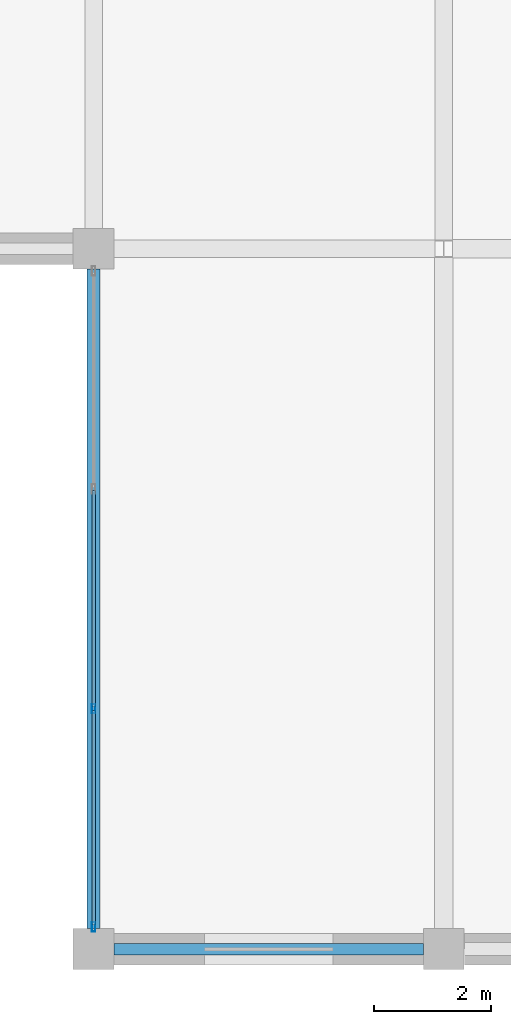
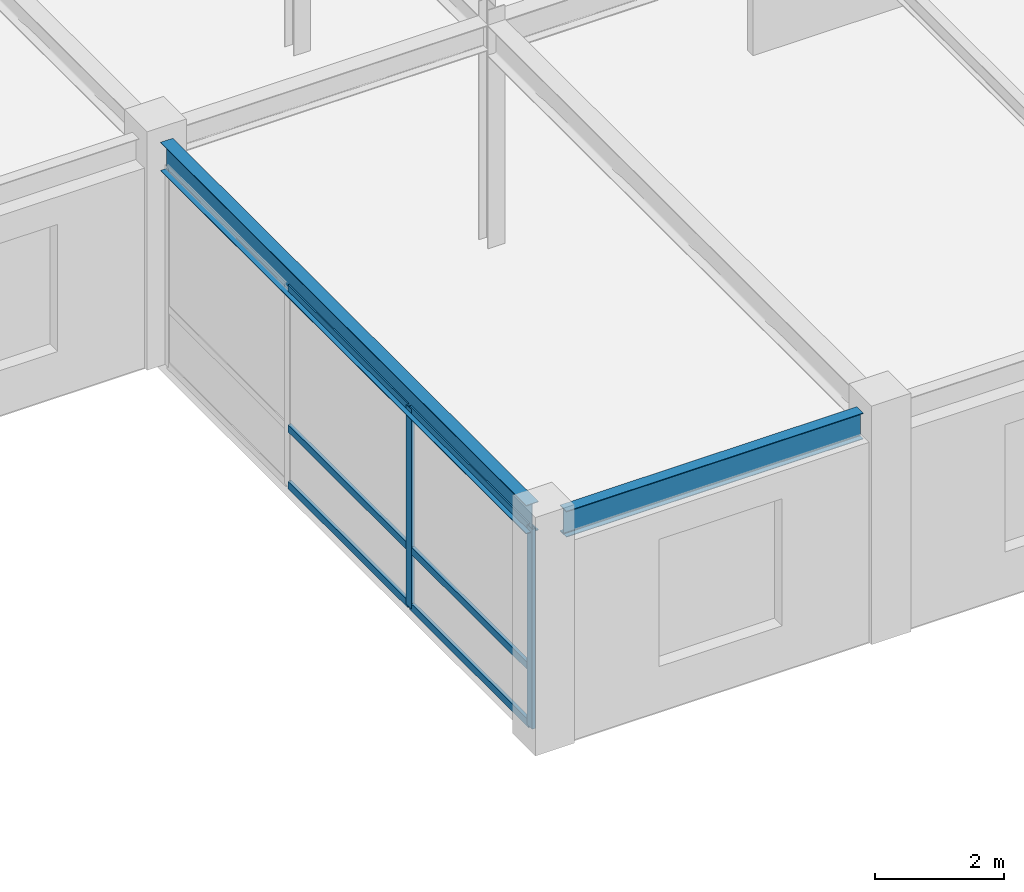
# One storey, part 56 of 108: 8 members, 2 beams, 1 element without a shape of its own.
"""IFC4 building model written with IfcOpenShell, lengths in metres."""

from ifc_helpers import new_model, si_unit, direction, frame, origin, origin_2d, place, context, subcontext, project, spatial, hollow_rectangle, i_section, extrude, material, layer, layer_set, material_profile, profile_set, type_object, element, aggregate, save


model = new_model("IFC4")

# Units and contexts
model_context = context("Model", 3, precision=1e-05, world=origin(), true_north=direction((0.0, 1.0)))
body_context = subcontext(model_context, "Body", "Model", "MODEL_VIEW")
ifc_project = project(units=[si_unit("LENGTHUNIT", "METRE"), si_unit("AREAUNIT", "SQUARE_METRE"), si_unit("VOLUMEUNIT", "CUBIC_METRE"), si_unit("PLANEANGLEUNIT", "RADIAN"), si_unit("MASSUNIT", "GRAM", prefix="KILO")], contexts=[model_context])

# Site, building, storey
site_placement = place(None, origin())
site = spatial("IfcSite", under=ifc_project, at=site_placement, CompositionType="ELEMENT")
building_placement = place(site_placement, origin())
building = spatial("IfcBuilding", under=site, at=building_placement, Name="Zlatovratsky Civic Hall", CompositionType="ELEMENT")
storey_placement = place(building_placement, frame((0.0, 0.0, 12.0)))
storey = spatial("IfcBuildingStorey", under=building, at=storey_placement, Name="L03", CompositionType="ELEMENT", Elevation=12.0)

# Beams
ifc_material_1 = material(Name="Steel S355", Category="steel")
ifc_material_profile_1 = material_profile(ifc_material_1, i_section(OverallWidth=0.198974609375, OverallDepth=0.491943359375, WebThickness=0.0087890625, FlangeThickness=0.011962890625, FilletRadius=0.01611328125, at=origin_2d()), Name="50B1")
ifc_profile_set_1 = profile_set([ifc_material_profile_1], Name="Steel S355")
beam_type_1 = type_object("IfcBeamType", Name="Beam_Spandrel_50B1", PredefinedType="SPANDREL", material=ifc_profile_set_1)
beam_1_placement = place(storey_placement, frame((114.35009765625, 0.0, 3.97412109375), z_axis=(1.0, 0.0, 0.0), x_axis=(0.0, 1.0, 0.0)))
element("IfcBeam", 1, at=beam_1_placement, inside=storey, type_object=beam_type_1, Name="BM-2475", PredefinedType="SPANDREL", context=body_context, shape_type="SweptSolid", body=[
    extrude(i_section(OverallWidth=0.198974609375, OverallDepth=0.491943359375, WebThickness=0.0087890625, FlangeThickness=0.011962890625, FilletRadius=0.01611328125, at=origin_2d()), origin(), (0.0, 0.0, 1.0), 5.2998046875),
])
ifc_material_profile_2 = material_profile(ifc_material_1, i_section(OverallWidth=0.219970703125, OverallDepth=0.54296875, WebThickness=0.009521484375, FlangeThickness=0.013427734375, FilletRadius=0.01806640625, at=origin_2d()), Name="55B1")
ifc_profile_set_2 = profile_set([ifc_material_profile_2], Name="Steel S355")
beam_type_2 = type_object("IfcBeamType", Name="Beam_Spandrel_55B1", PredefinedType="SPANDREL", material=ifc_profile_set_2)
beam_2_placement = place(storey_placement, frame((114.0, 0.35009765625, 3.948486328125), z_axis=(0.0, 1.0, 0.0), x_axis=(-1.0, 0.0, 0.0)))
element("IfcBeam", 2, at=beam_2_placement, inside=storey, type_object=beam_type_2, Name="BM-3013", PredefinedType="SPANDREL", context=body_context, shape_type="SweptSolid", body=[
    extrude(i_section(OverallWidth=0.219970703125, OverallDepth=0.54296875, WebThickness=0.009521484375, FlangeThickness=0.013427734375, FilletRadius=0.01806640625, at=origin_2d()), origin(), (0.0, 0.0, 1.0), 11.2998046875),
])

# Curtain wall, members
ifc_material_2 = material(Name="Anodised bronze aluminium", Category="aluminium")
ifc_layer = layer(ifc_material_2, 0.159912109375)
ifc_layer_set = layer_set([ifc_layer], Name="Anodised bronze aluminium")
curtain_wall_type = type_object("IfcCurtainWallType", Name="CurtainWall_Bronze_11300x3770_07", PredefinedType="NOTDEFINED", material=ifc_layer_set)
curtain_wall_placement = place(storey_placement, origin())
curtain_wall = element("IfcCurtainWall", 3, at=curtain_wall_placement, inside=storey, type_object=curtain_wall_type, Name="CW-046", PredefinedType="NOTDEFINED")
ifc_material_profile_3 = material_profile(ifc_material_2, hollow_rectangle(XDim=0.06005859375, YDim=0.159912109375, WallThickness=0.00390625, at=origin_2d()), Name="ALU 60x160x4")
ifc_profile_set_3 = profile_set([ifc_material_profile_3], Name="Anodised bronze aluminium")
member_type_1 = type_object("IfcMemberType", Name="CW_Mullion_60x160", PredefinedType="MULLION", material=ifc_profile_set_3)
member_1_placement = place(storey_placement, frame((114.0, 0.3798828125, 0.0), z_axis=(0.0, 0.0, 1.0), x_axis=(-1.0, 0.0, 0.0)))
member_1 = element("IfcMember", 4, at=member_1_placement, type_object=member_type_1, Name="CW-07 mullion 1", PredefinedType="MULLION", context=body_context, shape_type="SweptSolid", body=[
    extrude(hollow_rectangle(XDim=0.06005859375, YDim=0.159912109375, WallThickness=0.00390625, at=origin_2d()), origin(), (0.0, 0.0, 1.0), 3.77001953125),
])
member_2_placement = place(storey_placement, frame((114.0, 4.11669921875, 0.0), z_axis=(0.0, 0.0, 1.0), x_axis=(-1.0, 0.0, 0.0)))
member_2 = element("IfcMember", 5, at=member_2_placement, type_object=member_type_1, Name="CW-07 mullion 2", PredefinedType="MULLION", context=body_context, shape_type="SweptSolid", body=[
    extrude(hollow_rectangle(XDim=0.06005859375, YDim=0.159912109375, WallThickness=0.00390625, at=origin_2d()), origin(), (0.0, 0.0, 1.0), 3.77001953125),
])
ifc_material_profile_4 = material_profile(ifc_material_2, hollow_rectangle(XDim=0.06005859375, YDim=0.139892578125, WallThickness=0.00390625, at=origin_2d()), Name="ALU 60x140x4")
ifc_profile_set_4 = profile_set([ifc_material_profile_4], Name="Anodised bronze aluminium")
member_type_2 = type_object("IfcMemberType", Name="CW_Transom_60x140", PredefinedType="USERDEFINED", material=ifc_profile_set_4)
member_3_placement = place(storey_placement, frame((114.0, 0.409912109375, 0.030029296875), z_axis=(0.0, 1.0, 0.0), x_axis=(-1.0, 0.0, 0.0)))
member_3 = element("IfcMember", 6, at=member_3_placement, type_object=member_type_2, Name="CW-07 transom 1.1", ObjectType="TRANSOM", PredefinedType="USERDEFINED", context=body_context, shape_type="SweptSolid", body=[
    extrude(hollow_rectangle(XDim=0.06005859375, YDim=0.139892578125, WallThickness=0.00390625, at=origin_2d()), origin(), (0.0, 0.0, 1.0), 3.6767578125),
])
member_4_placement = place(storey_placement, frame((114.0, 0.409912109375, 1.10009765625), z_axis=(0.0, 1.0, 0.0), x_axis=(-1.0, 0.0, 0.0)))
member_4 = element("IfcMember", 7, at=member_4_placement, type_object=member_type_2, Name="CW-07 transom 1.2", ObjectType="TRANSOM", PredefinedType="USERDEFINED", context=body_context, shape_type="SweptSolid", body=[
    extrude(hollow_rectangle(XDim=0.06005859375, YDim=0.139892578125, WallThickness=0.00390625, at=origin_2d()), origin(), (0.0, 0.0, 1.0), 3.6767578125),
])
member_5_placement = place(storey_placement, frame((114.0, 0.409912109375, 3.739990234375), z_axis=(0.0, 1.0, 0.0), x_axis=(-1.0, 0.0, 0.0)))
member_5 = element("IfcMember", 8, at=member_5_placement, type_object=member_type_2, Name="CW-07 transom 1.3", ObjectType="TRANSOM", PredefinedType="USERDEFINED", context=body_context, shape_type="SweptSolid", body=[
    extrude(hollow_rectangle(XDim=0.06005859375, YDim=0.139892578125, WallThickness=0.00390625, at=origin_2d()), origin(), (0.0, 0.0, 1.0), 3.6767578125),
])
member_6_placement = place(storey_placement, frame((114.0, 4.146728515625, 0.030029296875), z_axis=(0.0, 1.0, 0.0), x_axis=(-1.0, 0.0, 0.0)))
member_6 = element("IfcMember", 9, at=member_6_placement, type_object=member_type_2, Name="CW-07 transom 2.1", ObjectType="TRANSOM", PredefinedType="USERDEFINED", context=body_context, shape_type="SweptSolid", body=[
    extrude(hollow_rectangle(XDim=0.06005859375, YDim=0.139892578125, WallThickness=0.00390625, at=origin_2d()), origin(), (0.0, 0.0, 1.0), 3.70654296875),
])
member_7_placement = place(storey_placement, frame((114.0, 4.146728515625, 1.10009765625), z_axis=(0.0, 1.0, 0.0), x_axis=(-1.0, 0.0, 0.0)))
member_7 = element("IfcMember", 10, at=member_7_placement, type_object=member_type_2, Name="CW-07 transom 2.2", ObjectType="TRANSOM", PredefinedType="USERDEFINED", context=body_context, shape_type="SweptSolid", body=[
    extrude(hollow_rectangle(XDim=0.06005859375, YDim=0.139892578125, WallThickness=0.00390625, at=origin_2d()), origin(), (0.0, 0.0, 1.0), 3.70654296875),
])
member_8_placement = place(storey_placement, frame((114.0, 4.146728515625, 3.739990234375), z_axis=(0.0, 1.0, 0.0), x_axis=(-1.0, 0.0, 0.0)))
member_8 = element("IfcMember", 11, at=member_8_placement, type_object=member_type_2, Name="CW-07 transom 2.3", ObjectType="TRANSOM", PredefinedType="USERDEFINED", context=body_context, shape_type="SweptSolid", body=[
    extrude(hollow_rectangle(XDim=0.06005859375, YDim=0.139892578125, WallThickness=0.00390625, at=origin_2d()), origin(), (0.0, 0.0, 1.0), 3.70654296875),
])
aggregate(curtain_wall, [member_1, member_2, member_3, member_4, member_5, member_6, member_7, member_8])

save(model, "model.ifc")
